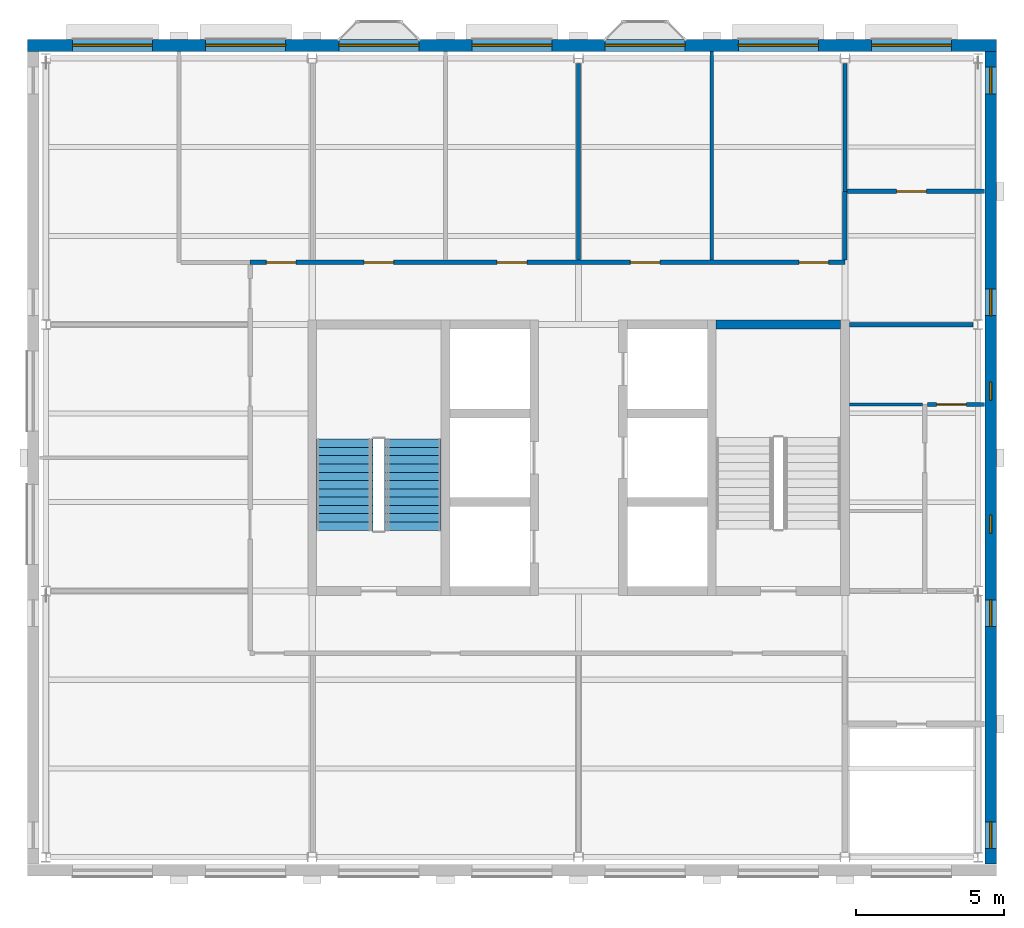
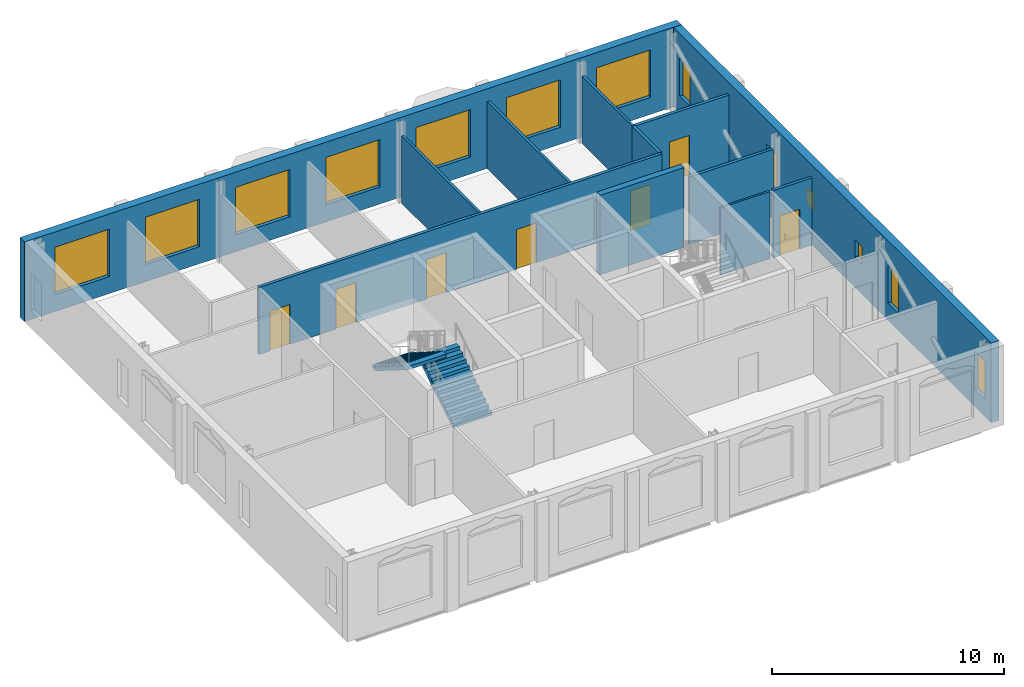
# One storey, part 5 of 9: 13 windows, 12 walls, 7 doors, 2 stair flights, 20 openings, 1 element without a shape of its own.
"""IFC4 building model written with IfcOpenShell, lengths in metres."""

import ifcopenshell
import ifcopenshell.guid

model = None  # the IFC model being written
_history = None  # IfcOwnerHistory: only IFC2X3 demands one
_inside = {}  # id of a spatial element -> (the spatial element, [elements in it])
_under = {}  # id of a project, library or spatial element -> (it, [spatial elements below it])
_declared = {}  # id of a project -> (the project, [libraries it declares])
_typed = {}  # id of a type object -> (the type object, [elements of that type])
_made_of = {}  # id of a material, layer set ... -> (it, [elements and type objects made of it])


def new_model(schema):
    """Start an empty IFC model of exactly this schema.

    Asked for "IFC4X3", IfcOpenShell would pick the latest addendum, in which some entities
    have other attributes; the version numbers below select the first issue.
    IFC2X3 requires an IfcOwnerHistory on every rooted entity: one is made here for all.
    """
    global model, _history
    if schema == "IFC4X3":
        model = ifcopenshell.file(schema_version=(4, 3, 0, 0))
    else:
        model = ifcopenshell.file(schema=schema)
    _inside.clear()
    _under.clear()
    _declared.clear()
    _typed.clear()
    _made_of.clear()
    _history = None
    if model.schema == "IFC2X3":
        org = make("IfcOrganization", Name="unknown")
        user = make(
            "IfcPersonAndOrganization",
            ThePerson=make("IfcPerson", FamilyName="unknown"),
            TheOrganization=org,
        )
        app = make(
            "IfcApplication",
            ApplicationDeveloper=org,
            Version="unknown",
            ApplicationFullName="unknown",
            ApplicationIdentifier="unknown",
        )
        _history = make(
            "IfcOwnerHistory",
            OwningUser=user,
            OwningApplication=app,
            ChangeAction="ADDED",
            CreationDate=0,
        )
    return model


def make(cls, **values):
    """One entity of the class cls with the attributes given. An attribute that is None is left unset."""
    return model.create_entity(
        cls, **{name: value for name, value in values.items() if value is not None}
    )


def rooted(cls, **values):
    """An entity with a GlobalId (a new one), such as an element, a storey or a relation."""
    return make(cls, GlobalId=ifcopenshell.guid.new(), OwnerHistory=_history, **values)


def si_unit(unit_type, name, prefix=None):
    """IfcSIUnit, for example si_unit("LENGTHUNIT", "METRE", prefix="MILLI")."""
    return make("IfcSIUnit", UnitType=unit_type, Prefix=prefix, Name=name)


def assignment(units):
    """IfcUnitAssignment: the units of a project."""
    return None if units is None else make("IfcUnitAssignment", Units=units)


def point(xyz):
    """IfcCartesianPoint."""
    return None if xyz is None else make("IfcCartesianPoint", Coordinates=xyz)


def direction(xyz):
    """IfcDirection."""
    return None if xyz is None else make("IfcDirection", DirectionRatios=xyz)


def frame(location, z_axis=None, x_axis=None):
    """IfcAxis2Placement3D, a coordinate frame: its origin and axes. An axis left out is left unset."""
    return make(
        "IfcAxis2Placement3D",
        Location=point(location),
        Axis=direction(z_axis),
        RefDirection=direction(x_axis),
    )


def frame_2d(location, x_axis=None):
    """IfcAxis2Placement2D, a coordinate frame in the plane: its origin and x axis."""
    return make(
        "IfcAxis2Placement2D", Location=point(location), RefDirection=direction(x_axis)
    )


def origin():
    """The frame at (0, 0, 0) with its axes left unset."""
    return frame((0.0, 0.0, 0.0))


def place(relative_to, where):
    """IfcLocalPlacement: puts the frame where relative to a parent placement (None: the world)."""
    return make(
        "IfcLocalPlacement", PlacementRelTo=relative_to, RelativePlacement=where
    )


def context(
    kind, dimensions, precision=None, world=None, true_north=None, identifier=None
):
    """IfcGeometricRepresentationContext, for example the 3D "Model" context."""
    return make(
        "IfcGeometricRepresentationContext",
        ContextIdentifier=identifier,
        ContextType=kind,
        CoordinateSpaceDimension=dimensions,
        Precision=precision,
        WorldCoordinateSystem=world,
        TrueNorth=true_north,
    )


def subcontext(parent, identifier, kind, view, scale=None):
    """IfcGeometricRepresentationSubContext, for example "Body" below "Model"."""
    return make(
        "IfcGeometricRepresentationSubContext",
        ContextIdentifier=identifier,
        ContextType=kind,
        ParentContext=parent,
        TargetScale=scale,
        TargetView=view,
    )


def project(units=None, contexts=None):
    """IfcProject with its units and contexts."""
    return rooted(
        "IfcProject",
        Name="project",
        RepresentationContexts=contexts,
        UnitsInContext=assignment(units),
    )


def spatial(cls, under=None, at=None, **own):
    """A site, building, storey or space (cls), placed at a placement, below another one or the project."""
    s = rooted(cls, ObjectPlacement=at, **own)
    if under is not None:
        _under.setdefault(under.id(), (under, []))[1].append(s)
    return s


def polyline(points):
    """IfcPolyline through the points."""
    return make("IfcPolyline", Points=[point(p) for p in points])


def profile(cls, at=None, kind="AREA", **sizes):
    """A parametric profile (cls). Its sizes go by their IFC names, for example OverallWidth=200.0."""
    return make(cls, ProfileType=kind, Position=at, **sizes)


def rectangle(**sizes):
    """IfcRectangleProfileDef."""
    return profile("IfcRectangleProfileDef", **sizes)


def outline(outer, holes=None, kind="AREA"):
    """IfcArbitraryClosedProfileDef: a profile drawn as a closed curve; with holes, ...WithVoids."""
    if holes is None:
        return make("IfcArbitraryClosedProfileDef", ProfileType=kind, OuterCurve=outer)
    return make(
        "IfcArbitraryProfileDefWithVoids",
        ProfileType=kind,
        OuterCurve=outer,
        InnerCurves=holes,
    )


def extrude(swept, where, along, depth):
    """IfcExtrudedAreaSolid: the profile swept, set in the frame where, extruded along a direction by depth."""
    return make(
        "IfcExtrudedAreaSolid",
        SweptArea=swept,
        Position=where,
        ExtrudedDirection=direction(along),
        Depth=depth,
    )


def shape(context_of_items, identifier, shape_type, items):
    """IfcShapeRepresentation: the items that make up one representation, for example the "Body"."""
    return make(
        "IfcShapeRepresentation",
        ContextOfItems=context_of_items,
        RepresentationIdentifier=identifier,
        RepresentationType=shape_type,
        Items=items,
    )


def material(Name=None, Category=None):
    """IfcMaterial."""
    return make("IfcMaterial", Name=Name, Category=Category)


def layer(
    of_material, thickness, ventilated=None, Name=None, Category=None, Priority=None
):
    """IfcMaterialLayer: one layer of a wall or slab, of a material (None: an air gap)."""
    return make(
        "IfcMaterialLayer",
        Material=of_material,
        LayerThickness=thickness,
        IsVentilated=ventilated,
        Name=Name,
        Category=Category,
        Priority=Priority,
    )


def layer_set(layers, Name=None):
    """IfcMaterialLayerSet."""
    return make("IfcMaterialLayerSet", MaterialLayers=layers, LayerSetName=Name)


def made_of(thing, what):
    """Note that an element or type object is made of a material, layer set ...; save() writes the relation."""
    if what is not None:
        _made_of.setdefault(what.id(), (what, []))[1].append(thing)
    return thing


def type_object(cls, material=None, **own):
    """A type object (cls), such as IfcWallType, which elements share."""
    return made_of(rooted(cls, **own), material)


def element(
    cls,
    number,
    at=None,
    inside=None,
    cuts=None,
    type_object=None,
    material=None,
    context=None,
    identifier="Body",
    shape_type=None,
    held_by="IfcProductDefinitionShape",
    body=None,
    shapes=None,
    **own,
):
    """One element of the class cls, such as IfcWall. Its Tag is "e" and its number.

    at: its placement. inside: the storey or other place that contains it. cuts: it is an
    opening in that element (IfcRelVoidsElement). A single representation is given by context,
    identifier, shape_type and body (its items); several are given by shapes. held_by: the class
    of the entity that holds the representations. save() writes the other relations.
    """
    e = rooted(cls, Tag="e%d" % number, ObjectPlacement=at, **own)
    if body is not None:
        shapes = [shape(context, identifier, shape_type, body)]
    if shapes is not None:
        e.Representation = make(held_by, Representations=shapes)
    if inside is not None:
        _inside.setdefault(inside.id(), (inside, []))[1].append(e)
    if cuts is not None:
        rooted(
            "IfcRelVoidsElement", RelatingBuildingElement=cuts, RelatedOpeningElement=e
        )
    if type_object is not None:
        _typed.setdefault(type_object.id(), (type_object, []))[1].append(e)
    return made_of(e, material)


def fill(opening, filler):
    """IfcRelFillsElement: the door or window that sits in an opening."""
    return rooted(
        "IfcRelFillsElement",
        RelatingOpeningElement=opening,
        RelatedBuildingElement=filler,
    )


def aggregate(whole, parts):
    """IfcRelAggregates: a whole, such as a stair, and the parts it consists of."""
    return rooted("IfcRelAggregates", RelatingObject=whole, RelatedObjects=parts)


def save(model, path):
    """Write the relations noted so far, then the file.

    IfcRelAggregates (storeys below a building ...), IfcRelContainedInSpatialStructure (elements
    in a storey), IfcRelDefinesByType, IfcRelAssociatesMaterial and IfcRelDeclares: one each for
    every whole, place, type object, material and project.
    """
    for whole, parts in _under.values():
        aggregate(whole, parts)
    for where, things in _inside.values():
        rooted(
            "IfcRelContainedInSpatialStructure",
            RelatedElements=things,
            RelatingStructure=where,
        )
    for kind, things in _typed.values():
        rooted("IfcRelDefinesByType", RelatedObjects=things, RelatingType=kind)
    for what, things in _made_of.values():
        rooted("IfcRelAssociatesMaterial", RelatedObjects=things, RelatingMaterial=what)
    for by, libraries in _declared.values():
        rooted("IfcRelDeclares", RelatingContext=by, RelatedDefinitions=libraries)
    model.write(path)


model = new_model("IFC4")

# Units and contexts
model_context = context("Model", 3, precision=1e-05, world=origin(), true_north=direction((0.0, 1.0)))
body_context = subcontext(model_context, "Body", "Model", "MODEL_VIEW")
ifc_project = project(units=[si_unit("LENGTHUNIT", "METRE"), si_unit("AREAUNIT", "SQUARE_METRE"), si_unit("VOLUMEUNIT", "CUBIC_METRE"), si_unit("PLANEANGLEUNIT", "RADIAN"), si_unit("MASSUNIT", "GRAM", prefix="KILO")], contexts=[model_context])

# Site, building, storey
site_placement = place(None, origin())
site = spatial("IfcSite", under=ifc_project, at=site_placement, CompositionType="ELEMENT")
building_placement = place(site_placement, origin())
building = spatial("IfcBuilding", under=site, at=building_placement, Name="Hortulan Conservatory and Botanical Research Centre", CompositionType="ELEMENT")
storey_placement = place(building_placement, frame((0.0, 0.0, 57.0)))
storey = spatial("IfcBuildingStorey", under=building, at=storey_placement, Name="L13", CompositionType="ELEMENT", Elevation=57.0)

# Walls
ifc_material_1 = material(Name="Concrete N40 (40 MPa, AS 3600)", Category="concrete")
ifc_layer_1 = layer(ifc_material_1, 0.300048828125)
ifc_layer_set_1 = layer_set([ifc_layer_1], Name="Core Wall 300 N40 FRL 240/120/120")
wall_type_1 = type_object("IfcWallType", Name="Core Wall 300 N40 FRL 240/120/120", PredefinedType="SHEAR", material=ifc_layer_set_1)
wall_1_placement = place(storey_placement, frame((22.64990234375, 18.0, 0.0), z_axis=(0.0, 0.0, 1.0), x_axis=(1.0, 0.0, 0.0)))
element("IfcWall", 1, at=wall_1_placement, inside=storey, type_object=wall_type_1, Name="Reinforced concrete shaft wall", PredefinedType="SHEAR", context=body_context, shape_type="SweptSolid", body=[
    extrude(rectangle(XDim=4.2001953125, YDim=0.300048828125, at=frame_2d((2.10009765625, 0.0))), origin(), (0.0, 0.0, 1.0), 4.199951171875),
])
ifc_material_2 = material(Name="Plasterboard on steel studs", Category="steel")
ifc_layer_2 = layer(ifc_material_2, 0.14990234375)
ifc_layer_set_2 = layer_set([ifc_layer_2], Name="Corridor Partition 150")
wall_type_2 = type_object("IfcWallType", Name="Corridor Partition 150", PredefinedType="PARTITIONING", material=ifc_layer_set_2)
wall_2_placement = place(storey_placement, frame((27.0, 20.18505859375, 0.0), z_axis=(0.0, 0.0, 1.0), x_axis=(0.0, 1.0, 0.0)))
element("IfcWall", 2, at=wall_2_placement, inside=storey, type_object=wall_type_2, Name="Corridor partition", PredefinedType="PARTITIONING", context=body_context, shape_type="SweptSolid", body=[
    extrude(rectangle(XDim=2.304931640625, YDim=0.14990234375, at=frame_2d((1.15234375, 0.0))), origin(), (0.0, 0.0, 1.0), 3.5419921875),
])
wall_3_placement = place(storey_placement, frame((27.159912109375, 18.0, 0.0), z_axis=(0.0, 0.0, 1.0), x_axis=(1.0, 0.0, 0.0)))
element("IfcWall", 3, at=wall_3_placement, inside=storey, type_object=wall_type_2, Name="Corridor partition", PredefinedType="PARTITIONING", context=body_context, shape_type="SweptSolid", body=[
    extrude(rectangle(XDim=4.175537109375, YDim=0.14990234375, at=frame_2d((2.087890625, 0.0))), origin(), (0.0, 0.0, 1.0), 3.5419921875),
])

# Wall, openings, doors
wall_4_placement = place(storey_placement, frame((6.89990234375, 20.10009765625, 0.0), z_axis=(0.0, 0.0, 1.0), x_axis=(1.0, 0.0, 0.0)))
wall_4 = element("IfcWall", 4, at=wall_4_placement, inside=storey, type_object=wall_type_2, Name="Corridor partition", PredefinedType="PARTITIONING", context=body_context, shape_type="SweptSolid", body=[
    extrude(rectangle(XDim=20.10009765625, YDim=0.14990234375, at=frame_2d((10.050048828125, 0.0))), origin(), (0.0, 0.0, 1.0), 3.5419921875),
])
opening_1_placement = place(wall_4_placement, frame((0.550048828125, 0.0, 0.0)))
opening_1 = element("IfcOpeningElement", 5, at=opening_1_placement, cuts=wall_4, Name="Opening DT1", PredefinedType="OPENING", context=body_context, shape_type="SweptSolid", body=[
    extrude(rectangle(XDim=1.0, YDim=2.10009765625, at=frame_2d((0.5, 1.050048828125))), frame((0.0, 0.0849609375, 0.0), z_axis=(0.0, -1.0, 0.0), x_axis=(1.0, 0.0, 0.0)), (0.0, 0.0, 1.0), 0.169921875),
])
opening_2_placement = place(wall_4_placement, frame((3.85009765625, 0.0, 0.0)))
opening_2 = element("IfcOpeningElement", 6, at=opening_2_placement, cuts=wall_4, Name="Opening DT1", PredefinedType="OPENING", context=body_context, shape_type="SweptSolid", body=[
    extrude(rectangle(XDim=1.0, YDim=2.10009765625, at=frame_2d((0.5, 1.050048828125))), frame((0.0, 0.0849609375, 0.0), z_axis=(0.0, -1.0, 0.0), x_axis=(1.0, 0.0, 0.0)), (0.0, 0.0, 1.0), 0.169921875),
])
opening_3_placement = place(wall_4_placement, frame((8.35009765625, 0.0, 0.0)))
opening_3 = element("IfcOpeningElement", 7, at=opening_3_placement, cuts=wall_4, Name="Opening DT1", PredefinedType="OPENING", context=body_context, shape_type="SweptSolid", body=[
    extrude(rectangle(XDim=1.0, YDim=2.10009765625, at=frame_2d((0.5, 1.050048828125))), frame((0.0, 0.0849609375, 0.0), z_axis=(0.0, -1.0, 0.0), x_axis=(1.0, 0.0, 0.0)), (0.0, 0.0, 1.0), 0.169921875),
])
opening_4_placement = place(wall_4_placement, frame((12.85009765625, 0.0, 0.0)))
opening_4 = element("IfcOpeningElement", 8, at=opening_4_placement, cuts=wall_4, Name="Opening DT1", PredefinedType="OPENING", context=body_context, shape_type="SweptSolid", body=[
    extrude(rectangle(XDim=1.0, YDim=2.10009765625, at=frame_2d((0.5, 1.050048828125))), frame((0.0, 0.0849609375, 0.0), z_axis=(0.0, -1.0, 0.0), x_axis=(1.0, 0.0, 0.0)), (0.0, 0.0, 1.0), 0.169921875),
])
opening_5_placement = place(wall_4_placement, frame((18.550048828125, 0.0, 0.0)))
opening_5 = element("IfcOpeningElement", 9, at=opening_5_placement, cuts=wall_4, Name="Opening DT1", PredefinedType="OPENING", context=body_context, shape_type="SweptSolid", body=[
    extrude(rectangle(XDim=1.0, YDim=2.10009765625, at=frame_2d((0.5, 1.050048828125))), frame((0.0, 0.0849609375, 0.0), z_axis=(0.0, -1.0, 0.0), x_axis=(1.0, 0.0, 0.0)), (0.0, 0.0, 1.0), 0.169921875),
])
ifc_material_3 = material(Name="Timber door leaf in timber frame", Category="wood")
door_type_1 = type_object("IfcDoorType", Name="Single Door 1000x2100", OperationType="NOTDEFINED", PredefinedType="DOOR", material=ifc_material_3)
door_1_placement = place(opening_1_placement, origin())
door_1 = element("IfcDoor", 10, at=door_1_placement, inside=storey, type_object=door_type_1, Name="Door DT1 Administration Office", OperationType="SINGLE_SWING_LEFT", OverallHeight=2.10009765625, OverallWidth=1.0, PredefinedType="DOOR", context=body_context, shape_type="SweptSolid", body=[
    extrude(rectangle(XDim=1.0, YDim=2.10009765625, at=frame_2d((0.5, 1.050048828125))), frame((0.0, 0.02490234375, 0.0), z_axis=(0.0, -1.0, 0.0), x_axis=(1.0, 0.0, 0.0)), (0.0, 0.0, 1.0), 0.050048828125),
])
fill(opening_1, door_1)
door_2_placement = place(opening_2_placement, origin())
door_2 = element("IfcDoor", 11, at=door_2_placement, inside=storey, type_object=door_type_1, Name="Door DT1 Scientist's Office", OperationType="SINGLE_SWING_RIGHT", OverallHeight=2.10009765625, OverallWidth=1.0, PredefinedType="DOOR", context=body_context, shape_type="SweptSolid", body=[
    extrude(rectangle(XDim=1.0, YDim=2.10009765625, at=frame_2d((0.5, 1.050048828125))), frame((0.0, 0.02490234375, 0.0), z_axis=(0.0, -1.0, 0.0), x_axis=(1.0, 0.0, 0.0)), (0.0, 0.0, 1.0), 0.050048828125),
])
fill(opening_2, door_2)
door_3_placement = place(opening_3_placement, origin())
door_3 = element("IfcDoor", 12, at=door_3_placement, inside=storey, type_object=door_type_1, Name="Door DT1 Director's Office", OperationType="SINGLE_SWING_LEFT", OverallHeight=2.10009765625, OverallWidth=1.0, PredefinedType="DOOR", context=body_context, shape_type="SweptSolid", body=[
    extrude(rectangle(XDim=1.0, YDim=2.10009765625, at=frame_2d((0.5, 1.050048828125))), frame((0.0, 0.02490234375, 0.0), z_axis=(0.0, -1.0, 0.0), x_axis=(1.0, 0.0, 0.0)), (0.0, 0.0, 1.0), 0.050048828125),
])
fill(opening_3, door_3)
door_4_placement = place(opening_4_placement, origin())
door_4 = element("IfcDoor", 13, at=door_4_placement, inside=storey, type_object=door_type_1, Name="Door DT1 Administration Office", OperationType="SINGLE_SWING_RIGHT", OverallHeight=2.10009765625, OverallWidth=1.0, PredefinedType="DOOR", context=body_context, shape_type="SweptSolid", body=[
    extrude(rectangle(XDim=1.0, YDim=2.10009765625, at=frame_2d((0.5, 1.050048828125))), frame((0.0, 0.02490234375, 0.0), z_axis=(0.0, -1.0, 0.0), x_axis=(1.0, 0.0, 0.0)), (0.0, 0.0, 1.0), 0.050048828125),
])
fill(opening_4, door_4)
door_5_placement = place(opening_5_placement, origin())
door_5 = element("IfcDoor", 14, at=door_5_placement, inside=storey, type_object=door_type_1, Name="Door DT1 Scientist's Office", OperationType="SINGLE_SWING_LEFT", OverallHeight=2.10009765625, OverallWidth=1.0, PredefinedType="DOOR", context=body_context, shape_type="SweptSolid", body=[
    extrude(rectangle(XDim=1.0, YDim=2.10009765625, at=frame_2d((0.5, 1.050048828125))), frame((0.0, 0.02490234375, 0.0), z_axis=(0.0, -1.0, 0.0), x_axis=(1.0, 0.0, 0.0)), (0.0, 0.0, 1.0), 0.050048828125),
])
fill(opening_5, door_5)

# Wall, opening, door
wall_5_placement = place(storey_placement, frame((27.072509765625, 22.5, 0.0), z_axis=(0.0, 0.0, 1.0), x_axis=(1.0, 0.0, 0.0)))
wall_5 = element("IfcWall", 15, at=wall_5_placement, inside=storey, type_object=wall_type_2, Name="Corridor partition", PredefinedType="PARTITIONING", context=body_context, shape_type="SweptSolid", body=[
    extrude(rectangle(XDim=4.642578125, YDim=0.14990234375, at=frame_2d((2.3212890625, 0.0))), origin(), (0.0, 0.0, 1.0), 3.5419921875),
])
opening_6_placement = place(wall_5_placement, frame((1.677490234375, 0.0, 0.0)))
opening_6 = element("IfcOpeningElement", 16, at=opening_6_placement, cuts=wall_5, Name="Opening DT1", PredefinedType="OPENING", context=body_context, shape_type="SweptSolid", body=[
    extrude(rectangle(XDim=1.0, YDim=2.10009765625, at=frame_2d((0.5, 1.050048828125))), frame((0.0, 0.0849609375, 0.0), z_axis=(0.0, -1.0, 0.0), x_axis=(1.0, 0.0, 0.0)), (0.0, 0.0, 1.0), 0.169921875),
])
door_6_placement = place(opening_6_placement, origin())
door_6 = element("IfcDoor", 17, at=door_6_placement, inside=storey, type_object=door_type_1, Name="Door DT1 Scientist's Office", OperationType="SINGLE_SWING_RIGHT", OverallHeight=2.10009765625, OverallWidth=1.0, PredefinedType="DOOR", context=body_context, shape_type="SweptSolid", body=[
    extrude(rectangle(XDim=1.0, YDim=2.10009765625, at=frame_2d((0.5, 1.050048828125))), frame((0.0, 0.02490234375, 0.0), z_axis=(0.0, -1.0, 0.0), x_axis=(1.0, 0.0, 0.0)), (0.0, 0.0, 1.0), 0.050048828125),
])
fill(opening_6, door_6)

# Wall, openings, windows
ifc_material_4 = material(Name="Faience-faced brickwork masonry", Category="masonry")
ifc_layer_3 = layer(ifc_material_4, 0.39990234375)
ifc_layer_set_3 = layer_set([ifc_layer_3], Name="Faience-faced Masonry Cavity Wall 400")
wall_type_3 = type_object("IfcWallType", Name="Faience-faced Masonry Cavity Wall 400", PredefinedType="STANDARD", material=ifc_layer_set_3)
wall_6_placement = place(storey_placement, frame((-0.625, 27.43603515625, 0.0), z_axis=(0.0, 0.0, 1.0), x_axis=(1.0, 0.0, 0.0)))
wall_6 = element("IfcWall", 18, at=wall_6_placement, inside=storey, type_object=wall_type_3, Name="E-EW-TW-L13-N3", PredefinedType="STANDARD", context=body_context, shape_type="SweptSolid", body=[
    extrude(rectangle(XDim=32.75, YDim=0.39990234375, at=frame_2d((16.375, 0.0))), origin(), (0.0, 0.0, 1.0), 4.199951171875),
])
opening_7_placement = place(wall_6_placement, frame((1.52490234375, 0.0, 0.89990234375)))
opening_7 = element("IfcOpeningElement", 19, at=opening_7_placement, cuts=wall_6, Name="Opening W4", PredefinedType="OPENING", context=body_context, shape_type="SweptSolid", body=[
    extrude(rectangle(XDim=2.699951171875, YDim=2.5, at=frame_2d((1.35009765625, 1.25))), frame((0.0, 0.2099609375, 0.0), z_axis=(0.0, -1.0, 0.0), x_axis=(1.0, 0.0, 0.0)), (0.0, 0.0, 1.0), 0.419921875),
])
opening_8_placement = place(wall_6_placement, frame((6.02490234375, 0.0, 0.89990234375)))
opening_8 = element("IfcOpeningElement", 20, at=opening_8_placement, cuts=wall_6, Name="Opening W4", PredefinedType="OPENING", context=body_context, shape_type="SweptSolid", body=[
    extrude(rectangle(XDim=2.699951171875, YDim=2.5, at=frame_2d((1.35009765625, 1.25))), frame((0.0, 0.2099609375, 0.0), z_axis=(0.0, -1.0, 0.0), x_axis=(1.0, 0.0, 0.0)), (0.0, 0.0, 1.0), 0.419921875),
])
opening_9_placement = place(wall_6_placement, frame((10.52490234375, 0.0, 0.89990234375)))
opening_9 = element("IfcOpeningElement", 21, at=opening_9_placement, cuts=wall_6, Name="Opening W4", PredefinedType="OPENING", context=body_context, shape_type="SweptSolid", body=[
    extrude(rectangle(XDim=2.699951171875, YDim=2.5, at=frame_2d((1.35009765625, 1.25))), frame((0.0, 0.2099609375, 0.0), z_axis=(0.0, -1.0, 0.0), x_axis=(1.0, 0.0, 0.0)), (0.0, 0.0, 1.0), 0.419921875),
])
opening_10_placement = place(wall_6_placement, frame((15.02490234375, 0.0, 0.89990234375)))
opening_10 = element("IfcOpeningElement", 22, at=opening_10_placement, cuts=wall_6, Name="Opening W4", PredefinedType="OPENING", context=body_context, shape_type="SweptSolid", body=[
    extrude(rectangle(XDim=2.699951171875, YDim=2.5, at=frame_2d((1.35009765625, 1.25))), frame((0.0, 0.2099609375, 0.0), z_axis=(0.0, -1.0, 0.0), x_axis=(1.0, 0.0, 0.0)), (0.0, 0.0, 1.0), 0.419921875),
])
opening_11_placement = place(wall_6_placement, frame((19.52490234375, 0.0, 0.89990234375)))
opening_11 = element("IfcOpeningElement", 23, at=opening_11_placement, cuts=wall_6, Name="Opening W4", PredefinedType="OPENING", context=body_context, shape_type="SweptSolid", body=[
    extrude(rectangle(XDim=2.699951171875, YDim=2.5, at=frame_2d((1.35009765625, 1.25))), frame((0.0, 0.2099609375, 0.0), z_axis=(0.0, -1.0, 0.0), x_axis=(1.0, 0.0, 0.0)), (0.0, 0.0, 1.0), 0.419921875),
])
opening_12_placement = place(wall_6_placement, frame((24.02490234375, 0.0, 0.89990234375)))
opening_12 = element("IfcOpeningElement", 24, at=opening_12_placement, cuts=wall_6, Name="Opening W4", PredefinedType="OPENING", context=body_context, shape_type="SweptSolid", body=[
    extrude(rectangle(XDim=2.699951171875, YDim=2.5, at=frame_2d((1.35009765625, 1.25))), frame((0.0, 0.2099609375, 0.0), z_axis=(0.0, -1.0, 0.0), x_axis=(1.0, 0.0, 0.0)), (0.0, 0.0, 1.0), 0.419921875),
])
opening_13_placement = place(wall_6_placement, frame((28.52490234375, 0.0, 0.89990234375)))
opening_13 = element("IfcOpeningElement", 25, at=opening_13_placement, cuts=wall_6, Name="Opening W4", PredefinedType="OPENING", context=body_context, shape_type="SweptSolid", body=[
    extrude(rectangle(XDim=2.699951171875, YDim=2.5, at=frame_2d((1.35009765625, 1.25))), frame((0.0, 0.2099609375, 0.0), z_axis=(0.0, -1.0, 0.0), x_axis=(1.0, 0.0, 0.0)), (0.0, 0.0, 1.0), 0.419921875),
])
ifc_material_5 = material(Name="Bronze-finished aluminium frame with low-e laminated double glazing", Category="aluminium")
window_type_1 = type_object("IfcWindowType", Name="Faience Window 2700x2500", PartitioningType="SINGLE_PANEL", PredefinedType="WINDOW", material=ifc_material_5)
window_1_placement = place(opening_7_placement, origin())
window_1 = element("IfcWindow", 26, at=window_1_placement, inside=storey, type_object=window_type_1, Name="Faience window", OverallHeight=2.5, OverallWidth=2.699951171875, PartitioningType="SINGLE_PANEL", PredefinedType="WINDOW", context=body_context, shape_type="SweptSolid", body=[
    extrude(rectangle(XDim=2.699951171875, YDim=2.5, at=frame_2d((1.35009765625, 1.25))), frame((0.0, 0.030029296875, 0.0), z_axis=(0.0, -1.0, 0.0), x_axis=(1.0, 0.0, 0.0)), (0.0, 0.0, 1.0), 0.06005859375),
])
fill(opening_7, window_1)
window_2_placement = place(opening_8_placement, origin())
window_2 = element("IfcWindow", 27, at=window_2_placement, inside=storey, type_object=window_type_1, Name="Faience window", OverallHeight=2.5, OverallWidth=2.699951171875, PartitioningType="SINGLE_PANEL", PredefinedType="WINDOW", context=body_context, shape_type="SweptSolid", body=[
    extrude(rectangle(XDim=2.699951171875, YDim=2.5, at=frame_2d((1.35009765625, 1.25))), frame((0.0, 0.030029296875, 0.0), z_axis=(0.0, -1.0, 0.0), x_axis=(1.0, 0.0, 0.0)), (0.0, 0.0, 1.0), 0.06005859375),
])
fill(opening_8, window_2)
window_3_placement = place(opening_9_placement, origin())
window_3 = element("IfcWindow", 28, at=window_3_placement, inside=storey, type_object=window_type_1, Name="Faience window", OverallHeight=2.5, OverallWidth=2.699951171875, PartitioningType="SINGLE_PANEL", PredefinedType="WINDOW", context=body_context, shape_type="SweptSolid", body=[
    extrude(rectangle(XDim=2.699951171875, YDim=2.5, at=frame_2d((1.35009765625, 1.25))), frame((0.0, 0.030029296875, 0.0), z_axis=(0.0, -1.0, 0.0), x_axis=(1.0, 0.0, 0.0)), (0.0, 0.0, 1.0), 0.06005859375),
])
fill(opening_9, window_3)
window_4_placement = place(opening_10_placement, origin())
window_4 = element("IfcWindow", 29, at=window_4_placement, inside=storey, type_object=window_type_1, Name="Faience window", OverallHeight=2.5, OverallWidth=2.699951171875, PartitioningType="SINGLE_PANEL", PredefinedType="WINDOW", context=body_context, shape_type="SweptSolid", body=[
    extrude(rectangle(XDim=2.699951171875, YDim=2.5, at=frame_2d((1.35009765625, 1.25))), frame((0.0, 0.030029296875, 0.0), z_axis=(0.0, -1.0, 0.0), x_axis=(1.0, 0.0, 0.0)), (0.0, 0.0, 1.0), 0.06005859375),
])
fill(opening_10, window_4)
window_5_placement = place(opening_11_placement, origin())
window_5 = element("IfcWindow", 30, at=window_5_placement, inside=storey, type_object=window_type_1, Name="Faience window", OverallHeight=2.5, OverallWidth=2.699951171875, PartitioningType="SINGLE_PANEL", PredefinedType="WINDOW", context=body_context, shape_type="SweptSolid", body=[
    extrude(rectangle(XDim=2.699951171875, YDim=2.5, at=frame_2d((1.35009765625, 1.25))), frame((0.0, 0.030029296875, 0.0), z_axis=(0.0, -1.0, 0.0), x_axis=(1.0, 0.0, 0.0)), (0.0, 0.0, 1.0), 0.06005859375),
])
fill(opening_11, window_5)
window_6_placement = place(opening_12_placement, origin())
window_6 = element("IfcWindow", 31, at=window_6_placement, inside=storey, type_object=window_type_1, Name="Faience window", OverallHeight=2.5, OverallWidth=2.699951171875, PartitioningType="SINGLE_PANEL", PredefinedType="WINDOW", context=body_context, shape_type="SweptSolid", body=[
    extrude(rectangle(XDim=2.699951171875, YDim=2.5, at=frame_2d((1.35009765625, 1.25))), frame((0.0, 0.030029296875, 0.0), z_axis=(0.0, -1.0, 0.0), x_axis=(1.0, 0.0, 0.0)), (0.0, 0.0, 1.0), 0.06005859375),
])
fill(opening_12, window_6)
window_7_placement = place(opening_13_placement, origin())
window_7 = element("IfcWindow", 32, at=window_7_placement, inside=storey, type_object=window_type_1, Name="Faience window", OverallHeight=2.5, OverallWidth=2.699951171875, PartitioningType="SINGLE_PANEL", PredefinedType="WINDOW", context=body_context, shape_type="SweptSolid", body=[
    extrude(rectangle(XDim=2.699951171875, YDim=2.5, at=frame_2d((1.35009765625, 1.25))), frame((0.0, 0.030029296875, 0.0), z_axis=(0.0, -1.0, 0.0), x_axis=(1.0, 0.0, 0.0)), (0.0, 0.0, 1.0), 0.06005859375),
])
fill(opening_13, window_7)

wall_7_placement = place(storey_placement, frame((31.925048828125, 27.22509765625, 0.0), z_axis=(0.0, 0.0, 1.0), x_axis=(0.0, -1.0, 0.0)))
wall_7 = element("IfcWall", 33, at=wall_7_placement, inside=storey, type_object=wall_type_3, Name="E-EW-TW-L13-E4", PredefinedType="STANDARD", context=body_context, shape_type="SweptSolid", body=[
    extrude(rectangle(XDim=27.4501953125, YDim=0.39990234375, at=frame_2d((13.72509765625, 0.0))), origin(), (0.0, 0.0, 1.0), 4.199951171875),
])
opening_14_placement = place(wall_7_placement, frame((26.02490234375, 0.0, 0.89990234375)))
opening_14 = element("IfcOpeningElement", 34, at=opening_14_placement, cuts=wall_7, Name="Opening W5", PredefinedType="OPENING", context=body_context, shape_type="SweptSolid", body=[
    extrude(rectangle(XDim=0.89990234375, YDim=2.0, at=frame_2d((0.449951171875, 1.0))), frame((0.0, 0.2099609375, 0.0), z_axis=(0.0, -1.0, 0.0), x_axis=(1.0, 0.0, 0.0)), (0.0, 0.0, 1.0), 0.419921875),
])
opening_15_placement = place(wall_7_placement, frame((18.52490234375, 0.0, 0.89990234375)))
opening_15 = element("IfcOpeningElement", 35, at=opening_15_placement, cuts=wall_7, Name="Opening W5", PredefinedType="OPENING", context=body_context, shape_type="SweptSolid", body=[
    extrude(rectangle(XDim=0.89990234375, YDim=2.0, at=frame_2d((0.449951171875, 1.0))), frame((0.0, 0.2099609375, 0.0), z_axis=(0.0, -1.0, 0.0), x_axis=(1.0, 0.0, 0.0)), (0.0, 0.0, 1.0), 0.419921875),
])
opening_16_placement = place(wall_7_placement, frame((15.675048828125, 0.0, 1.60009765625)))
opening_16 = element("IfcOpeningElement", 36, at=opening_16_placement, cuts=wall_7, Name="Opening W3", PredefinedType="OPENING", context=body_context, shape_type="SweptSolid", body=[
    extrude(rectangle(XDim=0.60009765625, YDim=0.89990234375, at=frame_2d((0.300048828125, 0.449951171875))), frame((0.0, 0.2099609375, 0.0), z_axis=(0.0, -1.0, 0.0), x_axis=(1.0, 0.0, 0.0)), (0.0, 0.0, 1.0), 0.419921875),
])
opening_17_placement = place(wall_7_placement, frame((11.175048828125, 0.0, 1.60009765625)))
opening_17 = element("IfcOpeningElement", 37, at=opening_17_placement, cuts=wall_7, Name="Opening W3", PredefinedType="OPENING", context=body_context, shape_type="SweptSolid", body=[
    extrude(rectangle(XDim=0.60009765625, YDim=0.89990234375, at=frame_2d((0.300048828125, 0.449951171875))), frame((0.0, 0.2099609375, 0.0), z_axis=(0.0, -1.0, 0.0), x_axis=(1.0, 0.0, 0.0)), (0.0, 0.0, 1.0), 0.419921875),
])
opening_18_placement = place(wall_7_placement, frame((8.02490234375, 0.0, 0.89990234375)))
opening_18 = element("IfcOpeningElement", 38, at=opening_18_placement, cuts=wall_7, Name="Opening W5", PredefinedType="OPENING", context=body_context, shape_type="SweptSolid", body=[
    extrude(rectangle(XDim=0.89990234375, YDim=2.0, at=frame_2d((0.449951171875, 1.0))), frame((0.0, 0.2099609375, 0.0), z_axis=(0.0, -1.0, 0.0), x_axis=(1.0, 0.0, 0.0)), (0.0, 0.0, 1.0), 0.419921875),
])
opening_19_placement = place(wall_7_placement, frame((0.52490234375, 0.0, 0.89990234375)))
opening_19 = element("IfcOpeningElement", 39, at=opening_19_placement, cuts=wall_7, Name="Opening W5", PredefinedType="OPENING", context=body_context, shape_type="SweptSolid", body=[
    extrude(rectangle(XDim=0.89990234375, YDim=2.0, at=frame_2d((0.449951171875, 1.0))), frame((0.0, 0.2099609375, 0.0), z_axis=(0.0, -1.0, 0.0), x_axis=(1.0, 0.0, 0.0)), (0.0, 0.0, 1.0), 0.419921875),
])
window_type_2 = type_object("IfcWindowType", Name="Faience Pier Window 900x2000", PartitioningType="SINGLE_PANEL", PredefinedType="WINDOW", material=ifc_material_5)
window_8_placement = place(opening_14_placement, origin())
window_8 = element("IfcWindow", 40, at=window_8_placement, inside=storey, type_object=window_type_2, Name="Faience Pier window", OverallHeight=2.0, OverallWidth=0.89990234375, PartitioningType="SINGLE_PANEL", PredefinedType="WINDOW", context=body_context, shape_type="SweptSolid", body=[
    extrude(rectangle(XDim=0.89990234375, YDim=2.0, at=frame_2d((0.449951171875, 1.0))), frame((0.0, 0.030029296875, 0.0), z_axis=(0.0, -1.0, 0.0), x_axis=(1.0, 0.0, 0.0)), (0.0, 0.0, 1.0), 0.06005859375),
])
fill(opening_14, window_8)
window_9_placement = place(opening_15_placement, origin())
window_9 = element("IfcWindow", 41, at=window_9_placement, inside=storey, type_object=window_type_2, Name="Faience Pier window", OverallHeight=2.0, OverallWidth=0.89990234375, PartitioningType="SINGLE_PANEL", PredefinedType="WINDOW", context=body_context, shape_type="SweptSolid", body=[
    extrude(rectangle(XDim=0.89990234375, YDim=2.0, at=frame_2d((0.449951171875, 1.0))), frame((0.0, 0.030029296875, 0.0), z_axis=(0.0, -1.0, 0.0), x_axis=(1.0, 0.0, 0.0)), (0.0, 0.0, 1.0), 0.06005859375),
])
fill(opening_15, window_9)
window_10_placement = place(opening_18_placement, origin())
window_10 = element("IfcWindow", 42, at=window_10_placement, inside=storey, type_object=window_type_2, Name="Faience Pier window", OverallHeight=2.0, OverallWidth=0.89990234375, PartitioningType="SINGLE_PANEL", PredefinedType="WINDOW", context=body_context, shape_type="SweptSolid", body=[
    extrude(rectangle(XDim=0.89990234375, YDim=2.0, at=frame_2d((0.449951171875, 1.0))), frame((0.0, 0.030029296875, 0.0), z_axis=(0.0, -1.0, 0.0), x_axis=(1.0, 0.0, 0.0)), (0.0, 0.0, 1.0), 0.06005859375),
])
fill(opening_18, window_10)
window_11_placement = place(opening_19_placement, origin())
window_11 = element("IfcWindow", 43, at=window_11_placement, inside=storey, type_object=window_type_2, Name="Faience Pier window", OverallHeight=2.0, OverallWidth=0.89990234375, PartitioningType="SINGLE_PANEL", PredefinedType="WINDOW", context=body_context, shape_type="SweptSolid", body=[
    extrude(rectangle(XDim=0.89990234375, YDim=2.0, at=frame_2d((0.449951171875, 1.0))), frame((0.0, 0.030029296875, 0.0), z_axis=(0.0, -1.0, 0.0), x_axis=(1.0, 0.0, 0.0)), (0.0, 0.0, 1.0), 0.06005859375),
])
fill(opening_19, window_11)
window_type_3 = type_object("IfcWindowType", Name="Slot Window 600x900", PartitioningType="SINGLE_PANEL", PredefinedType="WINDOW", material=ifc_material_5)
window_12_placement = place(opening_16_placement, origin())
window_12 = element("IfcWindow", 44, at=window_12_placement, inside=storey, type_object=window_type_3, Name="Slot window", OverallHeight=0.89990234375, OverallWidth=0.60009765625, PartitioningType="SINGLE_PANEL", PredefinedType="WINDOW", context=body_context, shape_type="SweptSolid", body=[
    extrude(rectangle(XDim=0.60009765625, YDim=0.89990234375, at=frame_2d((0.300048828125, 0.449951171875))), frame((0.0, 0.030029296875, 0.0), z_axis=(0.0, -1.0, 0.0), x_axis=(1.0, 0.0, 0.0)), (0.0, 0.0, 1.0), 0.06005859375),
])
fill(opening_16, window_12)
window_13_placement = place(opening_17_placement, origin())
window_13 = element("IfcWindow", 45, at=window_13_placement, inside=storey, type_object=window_type_3, Name="Slot window", OverallHeight=0.89990234375, OverallWidth=0.60009765625, PartitioningType="SINGLE_PANEL", PredefinedType="WINDOW", context=body_context, shape_type="SweptSolid", body=[
    extrude(rectangle(XDim=0.60009765625, YDim=0.89990234375, at=frame_2d((0.300048828125, 0.449951171875))), frame((0.0, 0.030029296875, 0.0), z_axis=(0.0, -1.0, 0.0), x_axis=(1.0, 0.0, 0.0)), (0.0, 0.0, 1.0), 0.06005859375),
])
fill(opening_17, window_13)

# Wall, opening, door
ifc_material_6 = material(Name="Fire-rated plasterboard on steel studs", Category="steel")
ifc_layer_4 = layer(ifc_material_6, 0.14990234375)
ifc_layer_set_4 = layer_set([ifc_layer_4], Name="Lobby Partition 150")
wall_type_4 = type_object("IfcWallType", Name="Lobby Partition 150", PredefinedType="PARTITIONING", material=ifc_layer_set_4)
wall_8_placement = place(storey_placement, frame((29.784912109375, 15.300048828125, 0.0), z_axis=(0.0, 0.0, 1.0), x_axis=(1.0, 0.0, 0.0)))
wall_8 = element("IfcWall", 46, at=wall_8_placement, inside=storey, type_object=wall_type_4, Name="Lobby partition", PredefinedType="PARTITIONING", context=body_context, shape_type="SweptSolid", body=[
    extrude(rectangle(XDim=1.93017578125, YDim=0.14990234375, at=frame_2d((0.965087890625, 0.0))), origin(), (0.0, 0.0, 1.0), 3.5419921875),
])
opening_20_placement = place(wall_8_placement, frame((0.31494140625, 0.0, 0.0)))
opening_20 = element("IfcOpeningElement", 47, at=opening_20_placement, cuts=wall_8, Name="Opening DT4", PredefinedType="OPENING", context=body_context, shape_type="SweptSolid", body=[
    extrude(rectangle(XDim=1.0, YDim=2.10009765625, at=frame_2d((0.5, 1.050048828125))), frame((0.0, 0.0849609375, 0.0), z_axis=(0.0, -1.0, 0.0), x_axis=(1.0, 0.0, 0.0)), (0.0, 0.0, 1.0), 0.169921875),
])
ifc_material_7 = material(Name="Steel door leaf, insulated", Category="steel")
door_type_2 = type_object("IfcDoorType", Name="Fire Door 1000x2100 FRL -/60/30", OperationType="NOTDEFINED", PredefinedType="DOOR", material=ifc_material_7)
door_7_placement = place(opening_20_placement, origin())
door_7 = element("IfcDoor", 48, at=door_7_placement, inside=storey, type_object=door_type_2, Name="Door DT4 Men's WC", OperationType="SINGLE_SWING_RIGHT", OverallHeight=2.10009765625, OverallWidth=1.0, PredefinedType="DOOR", context=body_context, shape_type="SweptSolid", body=[
    extrude(rectangle(XDim=1.0, YDim=2.10009765625, at=frame_2d((0.5, 1.050048828125))), frame((0.0, 0.02490234375, 0.0), z_axis=(0.0, -1.0, 0.0), x_axis=(1.0, 0.0, 0.0)), (0.0, 0.0, 1.0), 0.050048828125),
])
fill(opening_20, door_7)

# Walls
ifc_layer_5 = layer(ifc_material_2, 0.125)
ifc_layer_set_5 = layer_set([ifc_layer_5], Name="Partition 125")
wall_type_5 = type_object("IfcWallType", Name="Partition 125", PredefinedType="PARTITIONING", material=ifc_layer_set_5)
wall_9_placement = place(storey_placement, frame((18.0, 20.18505859375, 0.0), z_axis=(0.0, 0.0, 1.0), x_axis=(0.0, 1.0, 0.0)))
element("IfcWall", 49, at=wall_9_placement, inside=storey, type_object=wall_type_5, Name="Partition", PredefinedType="PARTITIONING", context=body_context, shape_type="SweptSolid", body=[
    extrude(rectangle(XDim=6.64453125, YDim=0.125, at=frame_2d((3.322265625, 0.0))), origin(), (0.0, 0.0, 1.0), 3.5419921875),
])
wall_10_placement = place(storey_placement, frame((22.5, 20.18505859375, 0.0), z_axis=(0.0, 0.0, 1.0), x_axis=(0.0, 1.0, 0.0)))
element("IfcWall", 50, at=wall_10_placement, inside=storey, type_object=wall_type_5, Name="Partition", PredefinedType="PARTITIONING", context=body_context, shape_type="SweptSolid", body=[
    extrude(rectangle(XDim=7.041015625, YDim=0.125, at=frame_2d((3.5205078125, 0.0))), origin(), (0.0, 0.0, 1.0), 3.5419921875),
])
wall_11_placement = place(storey_placement, frame((27.0, 22.5, 0.0), z_axis=(0.0, 0.0, 1.0), x_axis=(0.0, 1.0, 0.0)))
element("IfcWall", 51, at=wall_11_placement, inside=storey, type_object=wall_type_5, Name="Partition", PredefinedType="PARTITIONING", context=body_context, shape_type="SweptSolid", body=[
    extrude(rectangle(XDim=4.32958984375, YDim=0.125, at=frame_2d((2.164794921875, 0.0))), origin(), (0.0, 0.0, 1.0), 3.5419921875),
])
ifc_material_8 = material(Name="Moisture-resistant plasterboard on steel studs", Category="steel")
ifc_layer_6 = layer(ifc_material_8, 0.10009765625)
ifc_layer_set_6 = layer_set([ifc_layer_6], Name="Wet Area Partition 100")
wall_type_6 = type_object("IfcWallType", Name="Wet Area Partition 100", PredefinedType="PARTITIONING", material=ifc_layer_set_6)
wall_12_placement = place(storey_placement, frame((27.159912109375, 15.300048828125, 0.0), z_axis=(0.0, 0.0, 1.0), x_axis=(1.0, 0.0, 0.0)))
element("IfcWall", 52, at=wall_12_placement, inside=storey, type_object=wall_type_6, Name="Toilet partition", PredefinedType="PARTITIONING", context=body_context, shape_type="SweptSolid", body=[
    extrude(rectangle(XDim=2.455078125, YDim=0.10009765625, at=frame_2d((1.2275390625, 0.0))), origin(), (0.0, 0.0, 1.0), 3.5419921875),
])

# Stair, stair flights
stair_type = type_object("IfcStairType", Name="Concrete Escape Stair 1900", PredefinedType="HALF_TURN_STAIR", material=ifc_material_1)
stair_placement = place(storey_placement, origin())
stair = element("IfcStair", 53, at=stair_placement, inside=storey, type_object=stair_type, Name="Stair T1 L13", PredefinedType="HALF_TURN_STAIR")
ifc_layer_7 = layer(ifc_material_1, 0.14990234375)
ifc_layer_set_7 = layer_set([ifc_layer_7], Name="Stair Flight 1900 wide, riser 175")
stair_flight_type = type_object("IfcStairFlightType", Name="Stair Flight 1900 wide, riser 175", PredefinedType="STRAIGHT", material=ifc_layer_set_7)
stair_flight_1_placement = place(storey_placement, frame((12.39990234375, 11.050048828125, 0.0), z_axis=(0.0, 0.0, 1.0), x_axis=(0.0, 1.0, 0.0)))
stair_flight_1 = element("IfcStairFlight", 54, at=stair_flight_1_placement, type_object=stair_flight_type, Name="Stair T1 L13 flight 1", NumberOfRisers=12, NumberOfTreads=11, PredefinedType="STRAIGHT", RiserHeight=0.175, TreadLength=0.28, context=body_context, shape_type="SweptSolid", body=[
    extrude(outline(polyline([(0.0, 0.0), (0.0, 0.175048828125), (0.280029296875, 0.175048828125), (0.280029296875, 0.35009765625), (0.56005859375, 0.35009765625), (0.56005859375, 0.52490234375), (0.840087890625, 0.52490234375), (0.840087890625, 0.699951171875), (1.1201171875, 0.699951171875), (1.1201171875, 0.875), (1.39990234375, 0.875), (1.39990234375, 1.050048828125), (1.679931640625, 1.050048828125), (1.679931640625, 1.22509765625), (1.9599609375, 1.22509765625), (1.9599609375, 1.39990234375), (2.239990234375, 1.39990234375), (2.239990234375, 1.574951171875), (2.52001953125, 1.574951171875), (2.52001953125, 1.75), (2.800048828125, 1.75), (2.800048828125, 1.925048828125), (3.080078125, 1.925048828125), (3.080078125, 2.10009765625), (3.080078125, 1.748291015625), (0.28271484375, 0.0), (0.0, 0.0)])), frame((0.0, 0.949951171875, 0.0), z_axis=(0.0, -1.0, 0.0), x_axis=(1.0, 0.0, 0.0)), (0.0, 0.0, 1.0), 1.89990234375),
])
stair_flight_2_placement = place(storey_placement, frame((10.10009765625, 14.1298828125, 2.10009765625), z_axis=(0.0, 0.0, 1.0), x_axis=(0.0, -1.0, 0.0)))
stair_flight_2 = element("IfcStairFlight", 55, at=stair_flight_2_placement, type_object=stair_flight_type, Name="Stair T1 L13 flight 2", NumberOfRisers=12, NumberOfTreads=11, PredefinedType="STRAIGHT", RiserHeight=0.175, TreadLength=0.28, context=body_context, shape_type="SweptSolid", body=[
    extrude(outline(polyline([(0.0, 0.0), (0.0, 0.175048828125), (0.280029296875, 0.175048828125), (0.280029296875, 0.35009765625), (0.56005859375, 0.35009765625), (0.56005859375, 0.52490234375), (0.840087890625, 0.52490234375), (0.840087890625, 0.699951171875), (1.1201171875, 0.699951171875), (1.1201171875, 0.875), (1.39990234375, 0.875), (1.39990234375, 1.050048828125), (1.679931640625, 1.050048828125), (1.679931640625, 1.22509765625), (1.9599609375, 1.22509765625), (1.9599609375, 1.39990234375), (2.239990234375, 1.39990234375), (2.239990234375, 1.574951171875), (2.52001953125, 1.574951171875), (2.52001953125, 1.75), (2.800048828125, 1.75), (2.800048828125, 1.925048828125), (3.080078125, 1.925048828125), (3.080078125, 2.10009765625), (3.080078125, 1.748291015625), (0.28271484375, 0.0), (0.0, 0.0)])), frame((0.0, 0.949951171875, 0.0), z_axis=(0.0, -1.0, 0.0), x_axis=(1.0, 0.0, 0.0)), (0.0, 0.0, 1.0), 1.89990234375),
])
aggregate(stair, [stair_flight_1, stair_flight_2])

save(model, "model.ifc")
